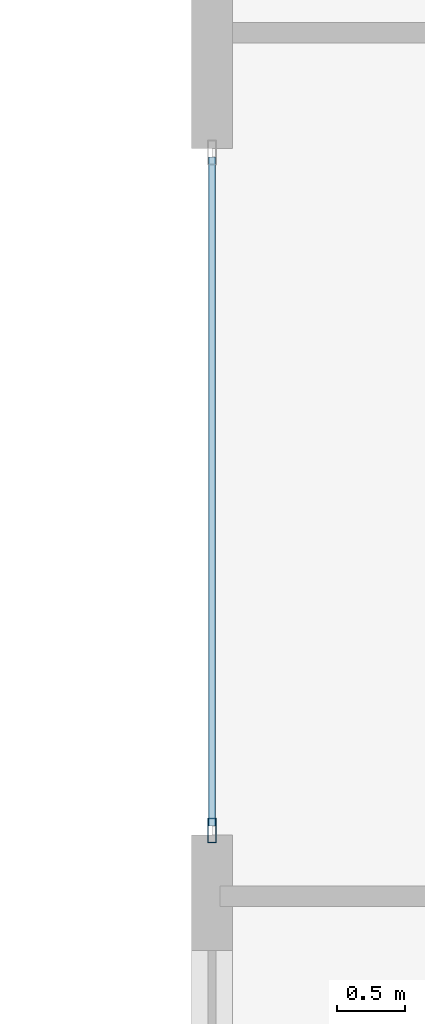
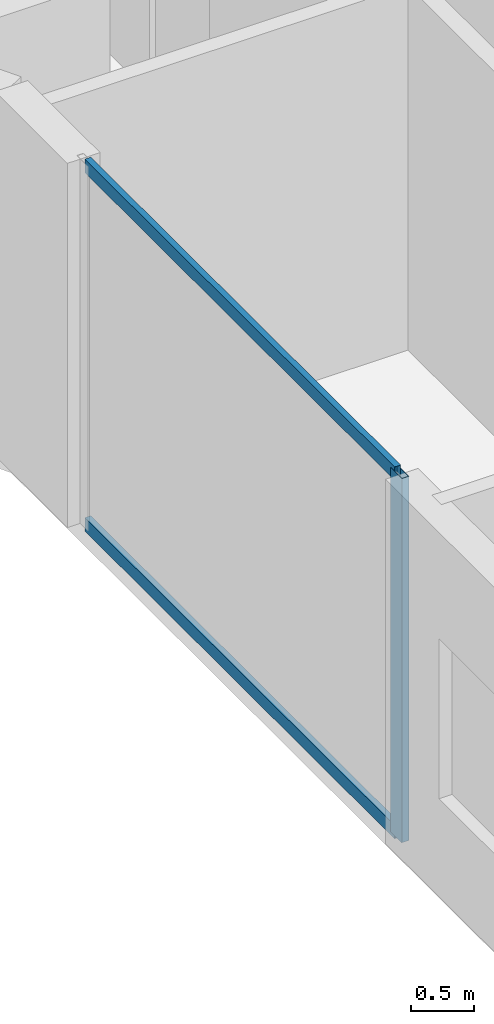
# One storey, part 4 of 33: 3 members, 1 element without a shape of its own.
"""IFC4 building model written with IfcOpenShell, lengths in metres."""

from ifc_helpers import new_model, si_unit, direction, frame, origin, origin_2d, place, context, subcontext, project, spatial, hollow_rectangle, extrude, material, layer, layer_set, material_profile, profile_set, type_object, element, aggregate, save


model = new_model("IFC4")

# Units and contexts
model_context = context("Model", 3, precision=1e-05, world=origin(), true_north=direction((0.0, 1.0)))
body_context = subcontext(model_context, "Body", "Model", "MODEL_VIEW")
ifc_project = project(units=[si_unit("LENGTHUNIT", "METRE"), si_unit("AREAUNIT", "SQUARE_METRE"), si_unit("VOLUMEUNIT", "CUBIC_METRE"), si_unit("PLANEANGLEUNIT", "RADIAN"), si_unit("MASSUNIT", "GRAM", prefix="KILO")], contexts=[model_context])

# Site, building, storey
site_placement = place(None, origin())
site = spatial("IfcSite", under=ifc_project, at=site_placement, CompositionType="ELEMENT")
building_placement = place(site_placement, origin())
building = spatial("IfcBuilding", under=site, at=building_placement, Name="Zuhayl Quay Hotel", CompositionType="ELEMENT")
storey_placement = place(building_placement, frame((0.0, 0.0, 207.39990234375)))
storey = spatial("IfcBuildingStorey", under=building, at=storey_placement, Name="L52", CompositionType="ELEMENT", Elevation=207.39990234375)

# Curtain wall, members
ifc_material_1 = material(Name="Anodised Aluminium 6063-T6", Category="aluminium")
ifc_layer = layer(ifc_material_1, 0.175048828125, Name="Anodised Aluminium 6063-T6", Category="aluminium")
ifc_layer_set = layer_set([ifc_layer], Name="Anodised Aluminium 6063-T6")
curtain_wall_type = type_object("IfcCurtainWallType", Name="CW_SYS_Z3", PredefinedType="USERDEFINED", material=ifc_layer_set)
curtain_wall_placement = place(storey_placement, origin())
curtain_wall = element("IfcCurtainWall", 1, at=curtain_wall_placement, inside=storey, type_object=curtain_wall_type, Name="L52 Curtain Wall ENV_L52_E02_CW1", ObjectType="UNITISED CURTAIN WALL", PredefinedType="USERDEFINED")
ifc_material_2 = material(Name="Black-anodised aluminium 6063-T6", Category="aluminium")
ifc_material_profile_1 = material_profile(ifc_material_2, hollow_rectangle(XDim=0.06494140625, YDim=0.179931640625, WallThickness=0.00341796875, at=origin_2d()), Name="ALU180X65")
ifc_profile_set_1 = profile_set([ifc_material_profile_1], Name="Black-anodised aluminium 6063-T6")
member_type_1 = type_object("IfcMemberType", Name="MB_CW_MUL_180", PredefinedType="MULLION", material=ifc_profile_set_1)
member_1_placement = place(storey_placement, frame((-22.10009765625, 2.032470703125, 0.0), z_axis=(0.0, 0.0, 1.0), x_axis=(-1.0, 0.0, 0.0)))
member_1 = element("IfcMember", 2, at=member_1_placement, type_object=member_type_1, Name="CW-Z3 mullion 1", PredefinedType="MULLION", context=body_context, shape_type="SweptSolid", body=[
    extrude(hollow_rectangle(XDim=0.06494140625, YDim=0.179931640625, WallThickness=0.00341796875, at=origin_2d()), origin(), (0.0, 0.0, 1.0), 3.530029296875),
])
ifc_material_profile_2 = material_profile(ifc_material_2, hollow_rectangle(XDim=0.054931640625, YDim=0.1298828125, WallThickness=0.0029296875, at=origin_2d()), Name="ALU130X55")
ifc_profile_set_2 = profile_set([ifc_material_profile_2], Name="Black-anodised aluminium 6063-T6")
member_type_2 = type_object("IfcMemberType", Name="MB_CW_TRN_130", PredefinedType="USERDEFINED", material=ifc_profile_set_2)
member_2_placement = place(storey_placement, frame((-22.10009765625, 2.06494140625, 0.027587890625), z_axis=(0.0, 1.0, 0.0), x_axis=(-1.0, 0.0, 0.0)))
member_2 = element("IfcMember", 3, at=member_2_placement, type_object=member_type_2, Name="CW-Z3 transom 1.1", ObjectType="TRANSOM", PredefinedType="USERDEFINED", context=body_context, shape_type="SweptSolid", body=[
    extrude(hollow_rectangle(XDim=0.054931640625, YDim=0.1298828125, WallThickness=0.0029296875, at=origin_2d()), origin(), (0.0, 0.0, 1.0), 4.920166015625),
])
member_3_placement = place(storey_placement, frame((-22.10009765625, 2.06494140625, 3.502685546875), z_axis=(0.0, 1.0, 0.0), x_axis=(-1.0, 0.0, 0.0)))
member_3 = element("IfcMember", 4, at=member_3_placement, type_object=member_type_2, Name="CW-Z3 transom 1.2", ObjectType="TRANSOM", PredefinedType="USERDEFINED", context=body_context, shape_type="SweptSolid", body=[
    extrude(hollow_rectangle(XDim=0.054931640625, YDim=0.1298828125, WallThickness=0.0029296875, at=origin_2d()), origin(), (0.0, 0.0, 1.0), 4.920166015625),
])
aggregate(curtain_wall, [member_1, member_2, member_3])

save(model, "model.ifc")
